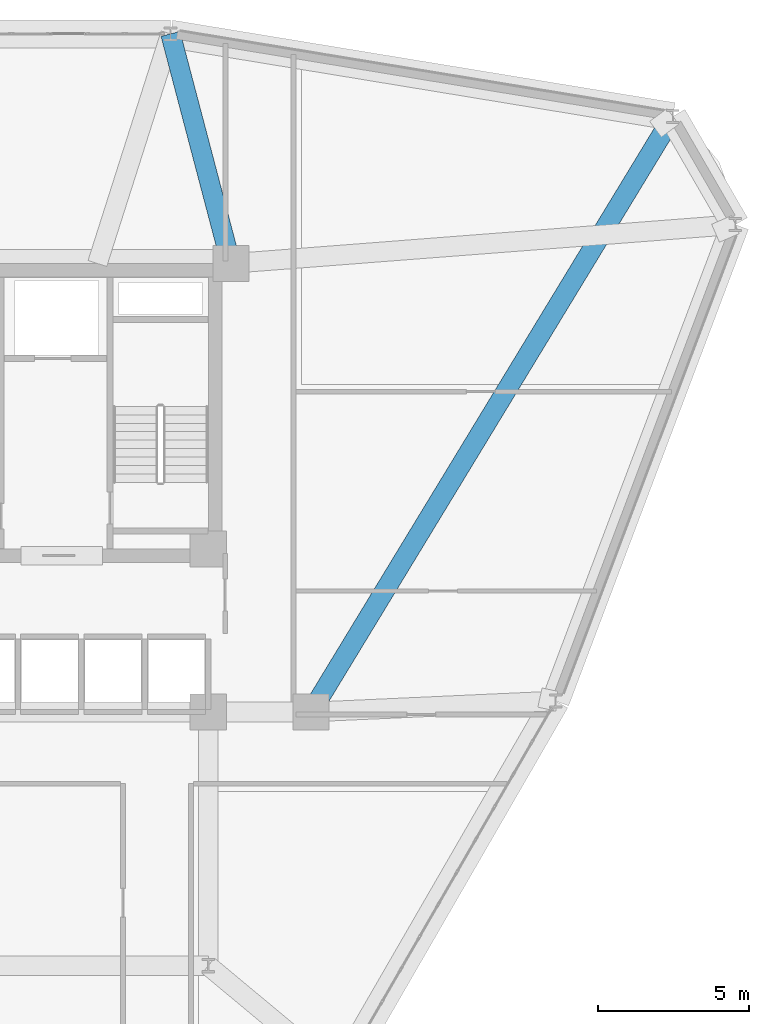
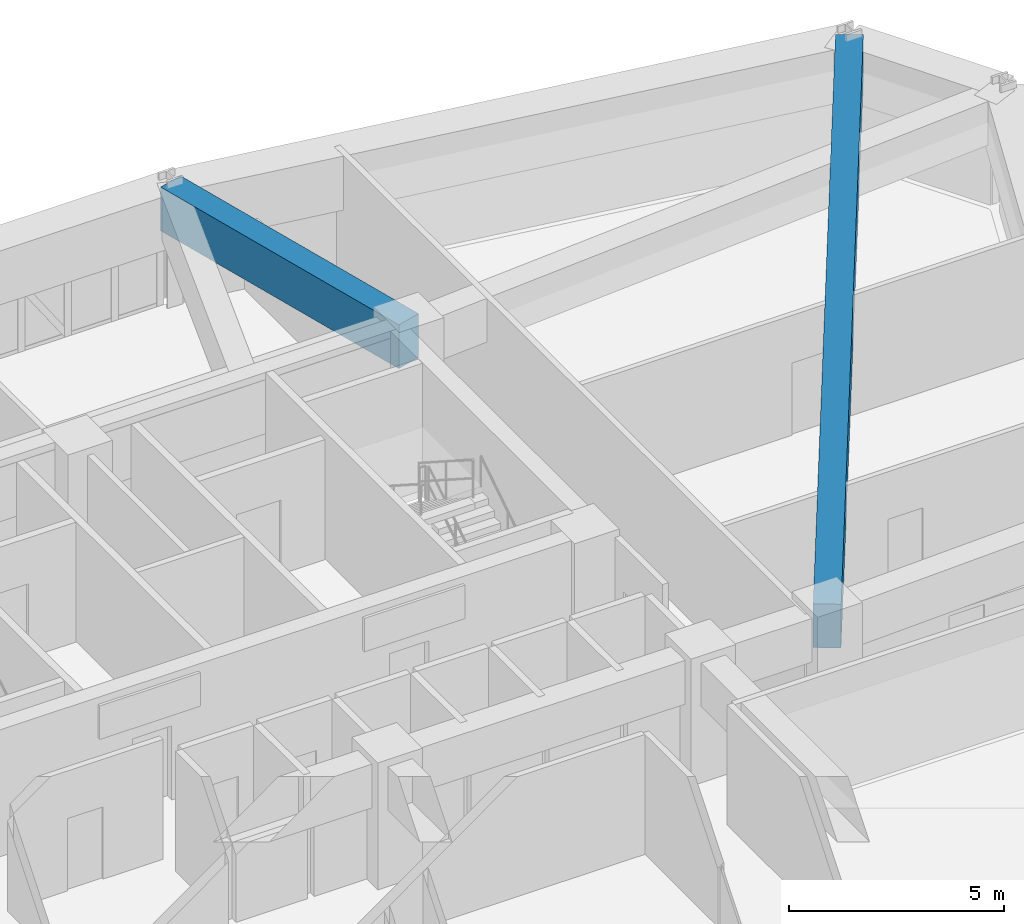
# One storey, part 9 of 16: 2 beams.
"""IFC4 building model written with IfcOpenShell, lengths in metres."""

from ifc_helpers import new_model, si_unit, derived_unit, direction, frame, origin, origin_2d, place, context, subcontext, project, spatial, rectangle, extrude, source, transform, mapped, material, material_profile, profile_set, type_object, element, save


model = new_model("IFC4")

# Units and contexts
model_context = context("Model", 3, precision=1e-05, world=origin(), true_north=direction((0.0, 1.0)))
body_context = subcontext(model_context, "Body", "Model", "MODEL_VIEW")
ifc_project = project(units=[si_unit("LENGTHUNIT", "METRE"), si_unit("AREAUNIT", "SQUARE_METRE"), si_unit("VOLUMEUNIT", "CUBIC_METRE"), si_unit("PLANEANGLEUNIT", "RADIAN"), si_unit("MASSUNIT", "GRAM", prefix="KILO"), derived_unit("THERMALTRANSMITTANCEUNIT", [(si_unit("POWERUNIT", "WATT"), 1), (si_unit("LENGTHUNIT", "METRE"), -2), (si_unit("THERMODYNAMICTEMPERATUREUNIT", "KELVIN"), -1)])], contexts=[model_context])

# Site, building, storey
site_placement = place(None, origin())
site = spatial("IfcSite", under=ifc_project, at=site_placement, CompositionType="ELEMENT")
building_placement = place(site_placement, origin())
building = spatial("IfcBuilding", under=site, at=building_placement, Name="Korsvarv Bourse and Concert Hall", CompositionType="ELEMENT")
storey_placement = place(building_placement, frame((0.0, 0.0, 106.199951171875)))
storey = spatial("IfcBuildingStorey", under=building, at=storey_placement, Name="L26", CompositionType="ELEMENT", Elevation=106.199951171875)

# Beams
ifc_material = material(Name="Concrete C50/60", Category="concrete")
ifc_material_profile = material_profile(ifc_material, rectangle(XDim=0.64990234375, YDim=1.239990234375, at=origin_2d()), Name="RC-BM 650x1240")
ifc_profile_set = profile_set([ifc_material_profile], Name="Concrete C50/60")
beam_type = type_object("IfcBeamType", Name="BM-TR-SPN", PredefinedType="BEAM", material=ifc_profile_set)
shared_shape_1 = source(origin(), body_context, "Body", "SweptSolid", [
    extrude(rectangle(XDim=0.64990234375, YDim=1.239990234375, at=origin_2d()), origin(), (0.0, 0.0, 1.0), 23.07470703125),
])
beam_1_placement = place(storey_placement, frame((59.78271484375, 52.119384765625, 2.780029296875), z_axis=(-0.51929864667, -0.854592836131, 0.0), x_axis=(0.854592836131, -0.51929864667, 0.0)))
element("IfcBeam", 1, at=beam_1_placement, inside=storey, type_object=beam_type, Name="L26 beam B-TRS", PredefinedType="BEAM", context=body_context, shape_type="MappedRepresentation", body=[
    mapped(shared_shape_1, transform((0.0, 0.0, 0.0), scale=1.0)),
])
shared_shape_2 = source(origin(), body_context, "Body", "SweptSolid", [
    extrude(rectangle(XDim=0.64990234375, YDim=1.239990234375, at=origin_2d()), origin(), (0.0, 0.0, 1.0), 7.8603515625),
])
beam_2_placement = place(storey_placement, frame((43.1494140625, 54.8515625, 2.780029296875), z_axis=(0.254502472315, -0.96707212326, 0.0), x_axis=(0.96707212326, 0.254502472315, 0.0)))
element("IfcBeam", 2, at=beam_2_placement, inside=storey, type_object=beam_type, Name="L26 beam B-TRS", PredefinedType="BEAM", context=body_context, shape_type="MappedRepresentation", body=[
    mapped(shared_shape_2, transform((0.0, 0.0, 0.0), scale=1.0)),
])

save(model, "model.ifc")
